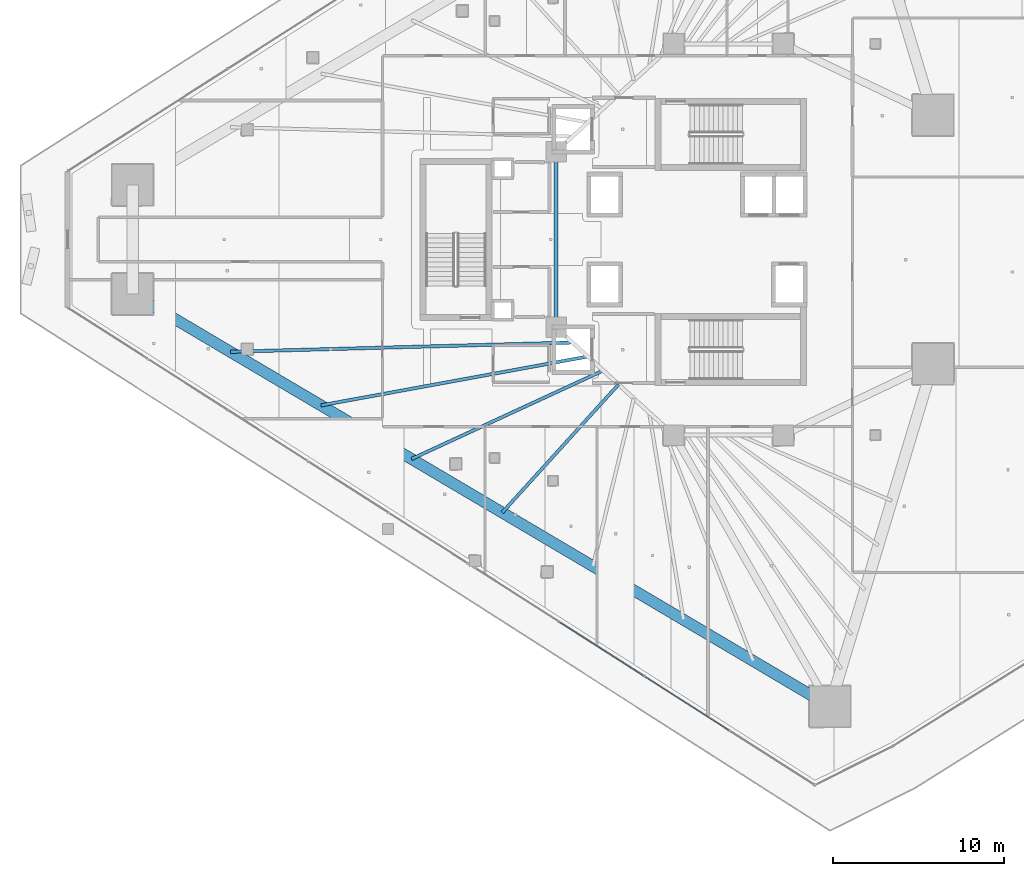
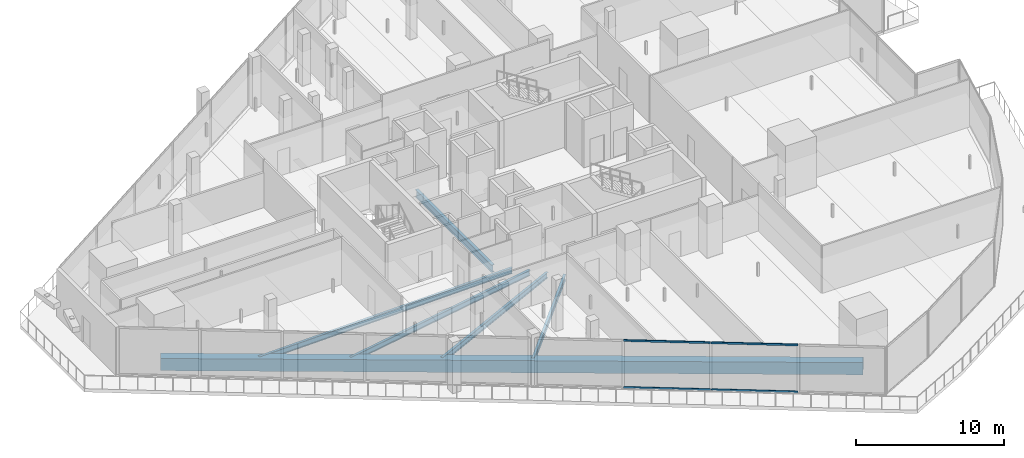
# One storey, part 6 of 46: 6 beams, 4 members, 1 element without a shape of its own.
"""IFC4 building model written with IfcOpenShell, lengths in metres."""

from ifc_helpers import new_model, si_unit, direction, frame, origin, origin_2d, place, context, subcontext, project, spatial, rectangle, hollow_rectangle, i_section, extrude, material, layer, layer_set, material_profile, profile_set, type_object, element, aggregate, save


model = new_model("IFC4")

# Units and contexts
model_context = context("Model", 3, precision=1e-05, world=origin(), true_north=direction((0.0, 1.0)))
body_context = subcontext(model_context, "Body", "Model", "MODEL_VIEW")
ifc_project = project(units=[si_unit("LENGTHUNIT", "METRE"), si_unit("AREAUNIT", "SQUARE_METRE"), si_unit("VOLUMEUNIT", "CUBIC_METRE"), si_unit("PLANEANGLEUNIT", "RADIAN"), si_unit("MASSUNIT", "GRAM", prefix="KILO")], contexts=[model_context])

# Site, building, storey
site_placement = place(None, origin())
site = spatial("IfcSite", under=ifc_project, at=site_placement, CompositionType="ELEMENT")
building_placement = place(site_placement, origin())
building = spatial("IfcBuilding", under=site, at=building_placement, Name="Qorvath Tower", CompositionType="ELEMENT")
storey_placement = place(building_placement, frame((0.0, 0.0, 87.0)))
storey = spatial("IfcBuildingStorey", under=building, at=storey_placement, Name="L19", CompositionType="ELEMENT", Elevation=87.0)

# Beams
ifc_material_1 = material(Name="Steel ASTM A992 Grade 50", Category="steel")
ifc_material_profile_1 = material_profile(ifc_material_1, i_section(OverallWidth=0.22998046875, OverallDepth=0.616943359375, WebThickness=0.01318359375, FlangeThickness=0.022216796875, FilletRadius=0.014892578125, at=origin_2d()), Name="W24x94")
ifc_profile_set_1 = profile_set([ifc_material_profile_1], Name="Steel ASTM A992 Grade 50")
beam_type_1 = type_object("IfcBeamType", Name="BM-FG6", PredefinedType="BEAM", material=ifc_profile_set_1)
beam_1_placement = place(storey_placement, frame((-30.5, -5.14990234375, -0.58837890625), z_axis=(0.0, 1.0, 0.0), x_axis=(-1.0, 0.0, 0.0)))
element("IfcBeam", 1, at=beam_1_placement, inside=storey, type_object=beam_type_1, Name="Core Ring Girder CC6-CC5 L19", PredefinedType="BEAM", context=body_context, shape_type="SweptSolid", body=[
    extrude(i_section(OverallWidth=0.22998046875, OverallDepth=0.616943359375, WebThickness=0.01318359375, FlangeThickness=0.022216796875, FilletRadius=0.014892578125, at=origin_2d()), origin(), (0.0, 0.0, 1.0), 10.2998046875),
])
ifc_material_2 = material(Name="Steel ASTM A992 Grade 50", Category="steel")
ifc_material_profile_2 = material_profile(ifc_material_2, i_section(OverallWidth=0.18994140625, OverallDepth=0.45703125, WebThickness=0.009033203125, FlangeThickness=0.014404296875, FilletRadius=0.011962890625, at=origin_2d()), Name="W18x50")
ifc_profile_set_2 = profile_set([ifc_material_profile_2], Name="Steel ASTM A992 Grade 50")
beam_type_2 = type_object("IfcBeamType", Name="BM-FJ2", PredefinedType="JOIST", material=ifc_profile_set_2)
beam_2_placement = place(storey_placement, frame((-29.533935546875, -6.031982421875, -0.508544921875), z_axis=(-0.999634925413, -0.02701880631, 0.0), x_axis=(0.02701880631, -0.999634925413, 0.0)))
element("IfcBeam", 2, at=beam_2_placement, inside=storey, type_object=beam_type_2, Name="Composite Floor Joist SW1 L19", PredefinedType="JOIST", context=body_context, shape_type="SweptSolid", body=[
    extrude(i_section(OverallWidth=0.18994140625, OverallDepth=0.45703125, WebThickness=0.009033203125, FlangeThickness=0.014404296875, FilletRadius=0.011962890625, at=origin_2d()), origin(), (0.0, 0.0, 1.0), 20.041748046875),
])
beam_3_placement = place(storey_placement, frame((-28.636962890625, -6.85107421875, -0.508544921875), z_axis=(-0.983656498786, -0.180055248176, 0.0), x_axis=(0.180055248176, -0.983656498786, 0.0)))
element("IfcBeam", 3, at=beam_3_placement, inside=storey, type_object=beam_type_2, Name="Composite Floor Joist SW2 L19", PredefinedType="JOIST", context=body_context, shape_type="SweptSolid", body=[
    extrude(i_section(OverallWidth=0.18994140625, OverallDepth=0.45703125, WebThickness=0.009033203125, FlangeThickness=0.014404296875, FilletRadius=0.011962890625, at=origin_2d()), origin(), (0.0, 0.0, 1.0), 15.884521484375),
])
beam_4_placement = place(storey_placement, frame((-27.739990234375, -7.669921875, -0.508544921875), z_axis=(-0.907881281747, -0.419227358665, 0.0), x_axis=(0.419227358665, -0.907881281747, 0.0)))
element("IfcBeam", 4, at=beam_4_placement, inside=storey, type_object=beam_type_2, Name="Composite Floor Joist SW3 L19", PredefinedType="JOIST", context=body_context, shape_type="SweptSolid", body=[
    extrude(i_section(OverallWidth=0.18994140625, OverallDepth=0.45703125, WebThickness=0.009033203125, FlangeThickness=0.014404296875, FilletRadius=0.011962890625, at=origin_2d()), origin(), (0.0, 0.0, 1.0), 12.353515625),
])
beam_5_placement = place(storey_placement, frame((-26.843017578125, -8.489013671875, -0.508544921875), z_axis=(-0.672128980215, -0.740434084815, 0.0), x_axis=(0.740434084815, -0.672128980215, 0.0)))
element("IfcBeam", 5, at=beam_5_placement, inside=storey, type_object=beam_type_2, Name="Composite Floor Joist SW4 L19", PredefinedType="JOIST", context=body_context, shape_type="SweptSolid", body=[
    extrude(i_section(OverallWidth=0.18994140625, OverallDepth=0.45703125, WebThickness=0.009033203125, FlangeThickness=0.014404296875, FilletRadius=0.011962890625, at=origin_2d()), origin(), (0.0, 0.0, 1.0), 10.1259765625),
])
ifc_material_3 = material(Name="Concrete C50/60", Category="concrete")
ifc_material_profile_3 = material_profile(ifc_material_3, rectangle(XDim=0.64990234375, YDim=1.0, at=origin_2d()), Name="RCB 1000x650")
ifc_profile_set_3 = profile_set([ifc_material_profile_3], Name="Concrete C50/60")
beam_type_3 = type_object("IfcBeamType", Name="BM-RCB1", PredefinedType="SPANDREL", material=ifc_profile_set_3)
beam_6_placement = place(storey_placement, frame((-55.282958984375, -3.194580078125, -0.780029296875), z_axis=(0.860777360917, -0.508981664633, 0.0), x_axis=(0.508981664633, 0.860777360917, 0.0)))
element("IfcBeam", 6, at=beam_6_placement, inside=storey, type_object=beam_type_3, Name="Perimeter Loggia Frame Beam MC2-MC3 L19", PredefinedType="SPANDREL", context=body_context, shape_type="SweptSolid", body=[
    extrude(rectangle(XDim=0.64990234375, YDim=1.0, at=origin_2d()), origin(), (0.0, 0.0, 1.0), 47.420654296875),
])

# Curtain wall, members
ifc_material_4 = material(Name="Anodised aluminium and triple low-E glass", Category="aluminium")
ifc_layer = layer(ifc_material_4, 0.179931640625)
ifc_layer_set = layer_set([ifc_layer], Name="CW-SYS-2")
curtain_wall_type = type_object("IfcCurtainWallType", Name="CW-SYS-2", PredefinedType="NOTDEFINED", material=ifc_layer_set)
curtain_wall_placement = place(storey_placement, origin())
curtain_wall = element("IfcCurtainWall", 7, at=curtain_wall_placement, inside=storey, type_object=curtain_wall_type, Name="Curtain Wall CW-2 CW-T-L19-2.2", PredefinedType="NOTDEFINED")
ifc_material_5 = material(Name="Anodised aluminium 6063-T6", Category="aluminium")
ifc_material_profile_4 = material_profile(ifc_material_5, hollow_rectangle(XDim=0.06494140625, YDim=0.159912109375, WallThickness=0.00341796875, InnerFilletRadius=0.00341796875, OuterFilletRadius=0.007080078125, at=origin_2d()), Name="CWT 160x65")
ifc_profile_set_4 = profile_set([ifc_material_profile_4], Name="Anodised aluminium 6063-T6")
member_type = type_object("IfcMemberType", Name="CWT-160", PredefinedType="USERDEFINED", material=ifc_profile_set_4)
member_1_placement = place(storey_placement, frame((-30.287841796875, -22.4052734375, 0.032470703125), z_axis=(0.842619535773, -0.538509348047, 0.0), x_axis=(0.538509348047, 0.842619535773, 0.0)))
member_1 = element("IfcMember", 8, at=member_1_placement, type_object=member_type, Name="CW-2 transom 2.1", ObjectType="TRANSOM", PredefinedType="USERDEFINED", context=body_context, shape_type="SweptSolid", body=[
    extrude(hollow_rectangle(XDim=0.06494140625, YDim=0.159912109375, WallThickness=0.00341796875, InnerFilletRadius=0.00341796875, OuterFilletRadius=0.007080078125, at=origin_2d()), origin(), (0.0, 0.0, 1.0), 5.855712890625),
])
member_2_placement = place(storey_placement, frame((-30.287841796875, -22.4052734375, 3.887451171875), z_axis=(0.842619535773, -0.538509348047, 0.0), x_axis=(0.538509348047, 0.842619535773, 0.0)))
member_2 = element("IfcMember", 9, at=member_2_placement, type_object=member_type, Name="CW-2 transom 2.2", ObjectType="TRANSOM", PredefinedType="USERDEFINED", context=body_context, shape_type="SweptSolid", body=[
    extrude(hollow_rectangle(XDim=0.06494140625, YDim=0.159912109375, WallThickness=0.00341796875, InnerFilletRadius=0.00341796875, OuterFilletRadius=0.007080078125, at=origin_2d()), origin(), (0.0, 0.0, 1.0), 5.855712890625),
])
member_3_placement = place(storey_placement, frame((-25.299072265625, -25.59375, 0.032470703125), z_axis=(0.842619535773, -0.538509348047, 0.0), x_axis=(0.538509348047, 0.842619535773, 0.0)))
member_3 = element("IfcMember", 10, at=member_3_placement, type_object=member_type, Name="CW-2 transom 3.1", ObjectType="TRANSOM", PredefinedType="USERDEFINED", context=body_context, shape_type="SweptSolid", body=[
    extrude(hollow_rectangle(XDim=0.06494140625, YDim=0.159912109375, WallThickness=0.00341796875, InnerFilletRadius=0.00341796875, OuterFilletRadius=0.007080078125, at=origin_2d()), origin(), (0.0, 0.0, 1.0), 5.855712890625),
])
member_4_placement = place(storey_placement, frame((-25.299072265625, -25.59375, 3.887451171875), z_axis=(0.842619535773, -0.538509348047, 0.0), x_axis=(0.538509348047, 0.842619535773, 0.0)))
member_4 = element("IfcMember", 11, at=member_4_placement, type_object=member_type, Name="CW-2 transom 3.2", ObjectType="TRANSOM", PredefinedType="USERDEFINED", context=body_context, shape_type="SweptSolid", body=[
    extrude(hollow_rectangle(XDim=0.06494140625, YDim=0.159912109375, WallThickness=0.00341796875, InnerFilletRadius=0.00341796875, OuterFilletRadius=0.007080078125, at=origin_2d()), origin(), (0.0, 0.0, 1.0), 5.855712890625),
])
aggregate(curtain_wall, [member_1, member_2, member_3, member_4])

save(model, "model.ifc")
